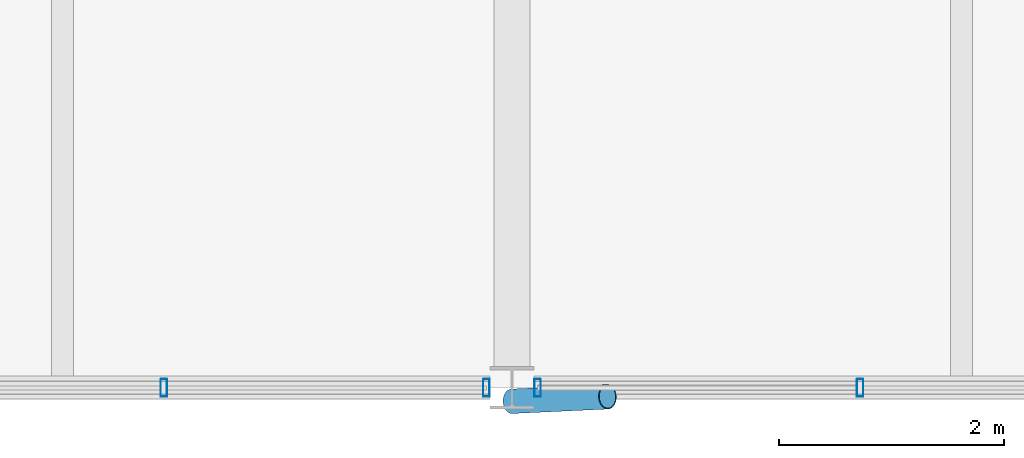
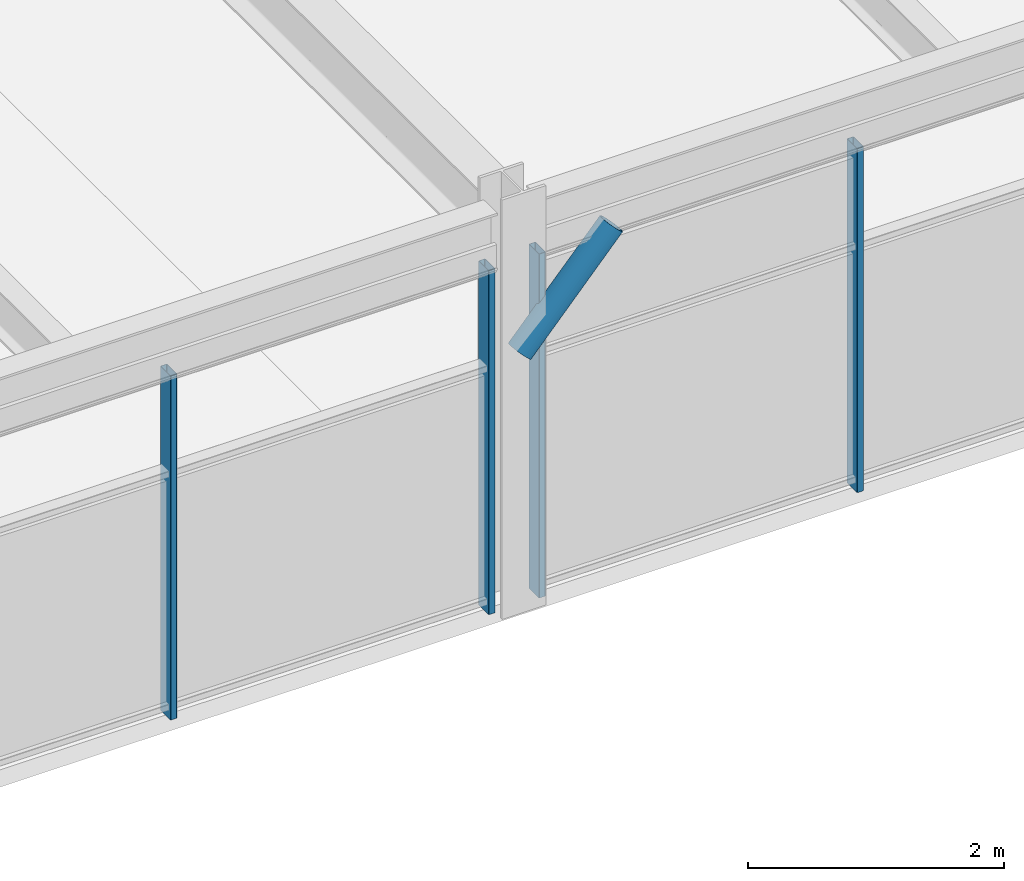
# One storey, part 13 of 51: 5 members, 2 elements without a shape of their own.
"""IFC4 building model written with IfcOpenShell, lengths in metres."""

import ifcopenshell
import ifcopenshell.guid

model = None  # the IFC model being written
_history = None  # IfcOwnerHistory: only IFC2X3 demands one
_inside = {}  # id of a spatial element -> (the spatial element, [elements in it])
_under = {}  # id of a project, library or spatial element -> (it, [spatial elements below it])
_declared = {}  # id of a project -> (the project, [libraries it declares])
_typed = {}  # id of a type object -> (the type object, [elements of that type])
_made_of = {}  # id of a material, layer set ... -> (it, [elements and type objects made of it])


def new_model(schema):
    """Start an empty IFC model of exactly this schema.

    Asked for "IFC4X3", IfcOpenShell would pick the latest addendum, in which some entities
    have other attributes; the version numbers below select the first issue.
    IFC2X3 requires an IfcOwnerHistory on every rooted entity: one is made here for all.
    """
    global model, _history
    if schema == "IFC4X3":
        model = ifcopenshell.file(schema_version=(4, 3, 0, 0))
    else:
        model = ifcopenshell.file(schema=schema)
    _inside.clear()
    _under.clear()
    _declared.clear()
    _typed.clear()
    _made_of.clear()
    _history = None
    if model.schema == "IFC2X3":
        org = make("IfcOrganization", Name="unknown")
        user = make(
            "IfcPersonAndOrganization",
            ThePerson=make("IfcPerson", FamilyName="unknown"),
            TheOrganization=org,
        )
        app = make(
            "IfcApplication",
            ApplicationDeveloper=org,
            Version="unknown",
            ApplicationFullName="unknown",
            ApplicationIdentifier="unknown",
        )
        _history = make(
            "IfcOwnerHistory",
            OwningUser=user,
            OwningApplication=app,
            ChangeAction="ADDED",
            CreationDate=0,
        )
    return model


def make(cls, **values):
    """One entity of the class cls with the attributes given. An attribute that is None is left unset."""
    return model.create_entity(
        cls, **{name: value for name, value in values.items() if value is not None}
    )


def rooted(cls, **values):
    """An entity with a GlobalId (a new one), such as an element, a storey or a relation."""
    return make(cls, GlobalId=ifcopenshell.guid.new(), OwnerHistory=_history, **values)


def si_unit(unit_type, name, prefix=None):
    """IfcSIUnit, for example si_unit("LENGTHUNIT", "METRE", prefix="MILLI")."""
    return make("IfcSIUnit", UnitType=unit_type, Prefix=prefix, Name=name)


def assignment(units):
    """IfcUnitAssignment: the units of a project."""
    return None if units is None else make("IfcUnitAssignment", Units=units)


def point(xyz):
    """IfcCartesianPoint."""
    return None if xyz is None else make("IfcCartesianPoint", Coordinates=xyz)


def direction(xyz):
    """IfcDirection."""
    return None if xyz is None else make("IfcDirection", DirectionRatios=xyz)


def frame(location, z_axis=None, x_axis=None):
    """IfcAxis2Placement3D, a coordinate frame: its origin and axes. An axis left out is left unset."""
    return make(
        "IfcAxis2Placement3D",
        Location=point(location),
        Axis=direction(z_axis),
        RefDirection=direction(x_axis),
    )


def frame_2d(location, x_axis=None):
    """IfcAxis2Placement2D, a coordinate frame in the plane: its origin and x axis."""
    return make(
        "IfcAxis2Placement2D", Location=point(location), RefDirection=direction(x_axis)
    )


def origin():
    """The frame at (0, 0, 0) with its axes left unset."""
    return frame((0.0, 0.0, 0.0))


def origin_2d():
    """The frame at (0, 0) in the plane with its x axis left unset."""
    return frame_2d((0.0, 0.0))


def place(relative_to, where):
    """IfcLocalPlacement: puts the frame where relative to a parent placement (None: the world)."""
    return make(
        "IfcLocalPlacement", PlacementRelTo=relative_to, RelativePlacement=where
    )


def context(
    kind, dimensions, precision=None, world=None, true_north=None, identifier=None
):
    """IfcGeometricRepresentationContext, for example the 3D "Model" context."""
    return make(
        "IfcGeometricRepresentationContext",
        ContextIdentifier=identifier,
        ContextType=kind,
        CoordinateSpaceDimension=dimensions,
        Precision=precision,
        WorldCoordinateSystem=world,
        TrueNorth=true_north,
    )


def subcontext(parent, identifier, kind, view, scale=None):
    """IfcGeometricRepresentationSubContext, for example "Body" below "Model"."""
    return make(
        "IfcGeometricRepresentationSubContext",
        ContextIdentifier=identifier,
        ContextType=kind,
        ParentContext=parent,
        TargetScale=scale,
        TargetView=view,
    )


def project(units=None, contexts=None):
    """IfcProject with its units and contexts."""
    return rooted(
        "IfcProject",
        Name="project",
        RepresentationContexts=contexts,
        UnitsInContext=assignment(units),
    )


def spatial(cls, under=None, at=None, **own):
    """A site, building, storey or space (cls), placed at a placement, below another one or the project."""
    s = rooted(cls, ObjectPlacement=at, **own)
    if under is not None:
        _under.setdefault(under.id(), (under, []))[1].append(s)
    return s


def profile(cls, at=None, kind="AREA", **sizes):
    """A parametric profile (cls). Its sizes go by their IFC names, for example OverallWidth=200.0."""
    return make(cls, ProfileType=kind, Position=at, **sizes)


def hollow_rectangle(**sizes):
    """IfcRectangleHollowProfileDef."""
    return profile("IfcRectangleHollowProfileDef", **sizes)


def hollow_circle(**sizes):
    """IfcCircleHollowProfileDef."""
    return profile("IfcCircleHollowProfileDef", **sizes)


def extrude(swept, where, along, depth):
    """IfcExtrudedAreaSolid: the profile swept, set in the frame where, extruded along a direction by depth."""
    return make(
        "IfcExtrudedAreaSolid",
        SweptArea=swept,
        Position=where,
        ExtrudedDirection=direction(along),
        Depth=depth,
    )


def shape(context_of_items, identifier, shape_type, items):
    """IfcShapeRepresentation: the items that make up one representation, for example the "Body"."""
    return make(
        "IfcShapeRepresentation",
        ContextOfItems=context_of_items,
        RepresentationIdentifier=identifier,
        RepresentationType=shape_type,
        Items=items,
    )


def material(Name=None, Category=None):
    """IfcMaterial."""
    return make("IfcMaterial", Name=Name, Category=Category)


def material_profile(
    of_material, cross_section, Name=None, Category=None, Priority=None
):
    """IfcMaterialProfile: a cross section and its material."""
    return make(
        "IfcMaterialProfile",
        Name=Name,
        Material=of_material,
        Profile=cross_section,
        Priority=Priority,
        Category=Category,
    )


def profile_set(profiles, Name=None, composite=None):
    """IfcMaterialProfileSet."""
    return make(
        "IfcMaterialProfileSet",
        Name=Name,
        MaterialProfiles=profiles,
        CompositeProfile=composite,
    )


def made_of(thing, what):
    """Note that an element or type object is made of a material, layer set ...; save() writes the relation."""
    if what is not None:
        _made_of.setdefault(what.id(), (what, []))[1].append(thing)
    return thing


def type_object(cls, material=None, **own):
    """A type object (cls), such as IfcWallType, which elements share."""
    return made_of(rooted(cls, **own), material)


def element(
    cls,
    number,
    at=None,
    inside=None,
    cuts=None,
    type_object=None,
    material=None,
    context=None,
    identifier="Body",
    shape_type=None,
    held_by="IfcProductDefinitionShape",
    body=None,
    shapes=None,
    **own,
):
    """One element of the class cls, such as IfcWall. Its Tag is "e" and its number.

    at: its placement. inside: the storey or other place that contains it. cuts: it is an
    opening in that element (IfcRelVoidsElement). A single representation is given by context,
    identifier, shape_type and body (its items); several are given by shapes. held_by: the class
    of the entity that holds the representations. save() writes the other relations.
    """
    e = rooted(cls, Tag="e%d" % number, ObjectPlacement=at, **own)
    if body is not None:
        shapes = [shape(context, identifier, shape_type, body)]
    if shapes is not None:
        e.Representation = make(held_by, Representations=shapes)
    if inside is not None:
        _inside.setdefault(inside.id(), (inside, []))[1].append(e)
    if cuts is not None:
        rooted(
            "IfcRelVoidsElement", RelatingBuildingElement=cuts, RelatedOpeningElement=e
        )
    if type_object is not None:
        _typed.setdefault(type_object.id(), (type_object, []))[1].append(e)
    return made_of(e, material)


def aggregate(whole, parts):
    """IfcRelAggregates: a whole, such as a stair, and the parts it consists of."""
    return rooted("IfcRelAggregates", RelatingObject=whole, RelatedObjects=parts)


def save(model, path):
    """Write the relations noted so far, then the file.

    IfcRelAggregates (storeys below a building ...), IfcRelContainedInSpatialStructure (elements
    in a storey), IfcRelDefinesByType, IfcRelAssociatesMaterial and IfcRelDeclares: one each for
    every whole, place, type object, material and project.
    """
    for whole, parts in _under.values():
        aggregate(whole, parts)
    for where, things in _inside.values():
        rooted(
            "IfcRelContainedInSpatialStructure",
            RelatedElements=things,
            RelatingStructure=where,
        )
    for kind, things in _typed.values():
        rooted("IfcRelDefinesByType", RelatedObjects=things, RelatingType=kind)
    for what, things in _made_of.values():
        rooted("IfcRelAssociatesMaterial", RelatedObjects=things, RelatingMaterial=what)
    for by, libraries in _declared.values():
        rooted("IfcRelDeclares", RelatingContext=by, RelatedDefinitions=libraries)
    model.write(path)


model = new_model("IFC4")

# Units and contexts
model_context = context("Model", 3, precision=1e-05, world=origin(), true_north=direction((0.0, 1.0)))
body_context = subcontext(model_context, "Body", "Model", "MODEL_VIEW")
ifc_project = project(units=[si_unit("LENGTHUNIT", "METRE"), si_unit("AREAUNIT", "SQUARE_METRE"), si_unit("VOLUMEUNIT", "CUBIC_METRE"), si_unit("PLANEANGLEUNIT", "RADIAN"), si_unit("MASSUNIT", "GRAM", prefix="KILO")], contexts=[model_context])

# Site, building, storey
site_placement = place(None, origin())
site = spatial("IfcSite", under=ifc_project, at=site_placement, CompositionType="ELEMENT")
building_placement = place(site_placement, origin())
building = spatial("IfcBuilding", under=site, at=building_placement, Name="Girod Span Mobility Hub", CompositionType="ELEMENT")
storey_placement = place(building_placement, frame((0.0, 0.0, 41.60009765625)))
storey = spatial("IfcBuildingStorey", under=building, at=storey_placement, Name="L10", CompositionType="ELEMENT", Elevation=41.60009765625)

# Curtain wall, members
ifc_material_1 = material(Name="Thermally Broken Anodised Aluminium", Category="aluminium")
curtain_wall_type = type_object("IfcCurtainWallType", Name="CW-1161X328", PredefinedType="USERDEFINED", material=ifc_material_1)
curtain_wall_1_placement = place(storey_placement, origin())
curtain_wall_1 = element("IfcCurtainWall", 1, at=curtain_wall_1_placement, inside=storey, type_object=curtain_wall_type, Name="Unitised Curtain Wall CW-L10-S05 L10", ObjectType="UNITISED CURTAIN WALL", PredefinedType="USERDEFINED")
ifc_material_2 = material(Name="Thermally Broken Anodised Aluminium", Category="aluminium")
ifc_material_profile_1 = material_profile(ifc_material_2, hollow_rectangle(XDim=0.159912109375, YDim=0.06005859375, WallThickness=0.00341796875, InnerFilletRadius=0.00341796875, OuterFilletRadius=0.007080078125, at=origin_2d()), Name="CW-ML-60X160")
ifc_profile_set_1 = profile_set([ifc_material_profile_1], Name="Thermally Broken Anodised Aluminium")
member_type_1 = type_object("IfcMemberType", Name="CWM-ML-3", PredefinedType="MULLION", material=ifc_profile_set_1)
member_1_placement = place(storey_placement, frame((56.902587890625, 27.0, 0.0), z_axis=(0.0, 0.0, 1.0), x_axis=(0.0, 1.0, 0.0)))
member_1 = element("IfcMember", 2, at=member_1_placement, type_object=member_type_1, Name="Curtain Wall Mullion CW-L10-S05-M3", PredefinedType="MULLION", context=body_context, shape_type="SweptSolid", body=[
    extrude(hollow_rectangle(XDim=0.159912109375, YDim=0.06005859375, WallThickness=0.00341796875, InnerFilletRadius=0.00341796875, OuterFilletRadius=0.007080078125, at=origin_2d()), origin(), (0.0, 0.0, 1.0), 3.281005859375),
])
member_2_placement = place(storey_placement, frame((59.77294921875, 27.0, 0.0), z_axis=(0.0, 0.0, 1.0), x_axis=(0.0, 1.0, 0.0)))
member_2 = element("IfcMember", 3, at=member_2_placement, type_object=member_type_1, Name="Curtain Wall Mullion CW-L10-S05-M4", PredefinedType="MULLION", context=body_context, shape_type="SweptSolid", body=[
    extrude(hollow_rectangle(XDim=0.159912109375, YDim=0.06005859375, WallThickness=0.00341796875, InnerFilletRadius=0.00341796875, OuterFilletRadius=0.007080078125, at=origin_2d()), origin(), (0.0, 0.0, 1.0), 3.281005859375),
])
aggregate(curtain_wall_1, [member_1, member_2])

curtain_wall_2_placement = place(storey_placement, origin())
curtain_wall_2 = element("IfcCurtainWall", 4, at=curtain_wall_2_placement, inside=storey, type_object=curtain_wall_type, Name="Unitised Curtain Wall CW-L10-S06 L10", ObjectType="UNITISED CURTAIN WALL", PredefinedType="USERDEFINED")
member_3_placement = place(storey_placement, frame((60.22705078125, 27.0, 0.0), z_axis=(0.0, 0.0, 1.0), x_axis=(0.0, 1.0, 0.0)))
member_3 = element("IfcMember", 5, at=member_3_placement, type_object=member_type_1, Name="Curtain Wall Mullion CW-L10-S06-M0", PredefinedType="MULLION", context=body_context, shape_type="SweptSolid", body=[
    extrude(hollow_rectangle(XDim=0.159912109375, YDim=0.06005859375, WallThickness=0.00341796875, InnerFilletRadius=0.00341796875, OuterFilletRadius=0.007080078125, at=origin_2d()), origin(), (0.0, 0.0, 1.0), 3.281005859375),
])
member_4_placement = place(storey_placement, frame((63.097412109375, 27.0, 0.0), z_axis=(0.0, 0.0, 1.0), x_axis=(0.0, 1.0, 0.0)))
member_4 = element("IfcMember", 6, at=member_4_placement, type_object=member_type_1, Name="Curtain Wall Mullion CW-L10-S06-M1", PredefinedType="MULLION", context=body_context, shape_type="SweptSolid", body=[
    extrude(hollow_rectangle(XDim=0.159912109375, YDim=0.06005859375, WallThickness=0.00341796875, InnerFilletRadius=0.00341796875, OuterFilletRadius=0.007080078125, at=origin_2d()), origin(), (0.0, 0.0, 1.0), 3.281005859375),
])
aggregate(curtain_wall_2, [member_3, member_4])

# Member
ifc_material_3 = material(Name="Steel HSS A500 Grade C", Category="steel")
ifc_material_profile_2 = material_profile(ifc_material_3, hollow_circle(Radius=0.109619140625, WallThickness=0.0087890625, at=origin_2d()), Name="HSS219X9.5")
ifc_profile_set_2 = profile_set([ifc_material_profile_2], Name="Steel HSS A500 Grade C")
member_type_2 = type_object("IfcMemberType", Name="MB-ST-HSS219", PredefinedType="STRUT", material=ifc_profile_set_2)
member_5_placement = place(storey_placement, frame((60.0, 26.8798828125, 2.449951171875), z_axis=(0.68831469116, 0.032419187062, 0.72468743762), x_axis=(-0.047047213483, 0.998892666758, 0.0)))
element("IfcMember", 7, at=member_5_placement, inside=storey, type_object=member_type_2, Name="Solar Shading Knee Strut 6 L10", PredefinedType="STRUT", context=body_context, shape_type="SweptSolid", body=[
    extrude(hollow_circle(Radius=0.109619140625, WallThickness=0.0087890625, at=origin_2d()), origin(), (0.0, 0.0, 1.0), 1.235107421875),
])

save(model, "model.ifc")
